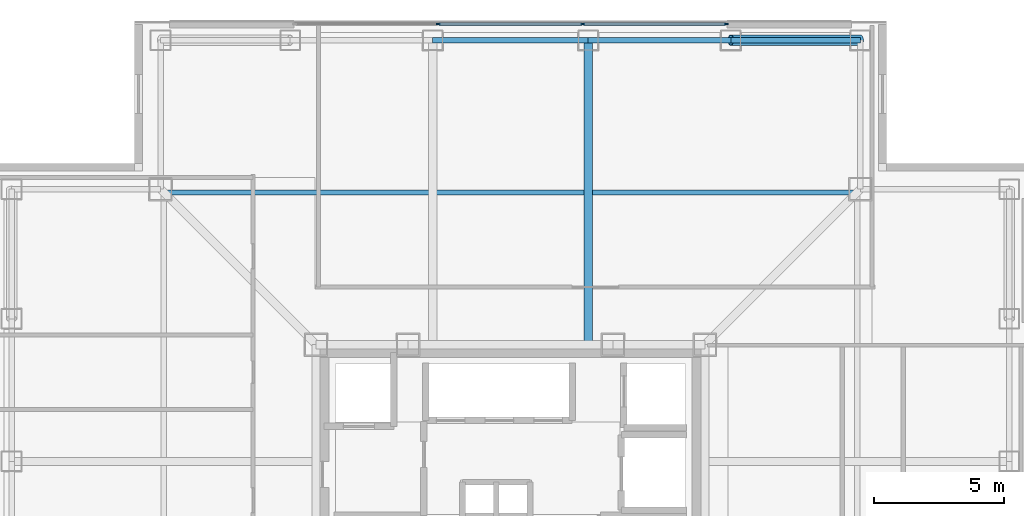
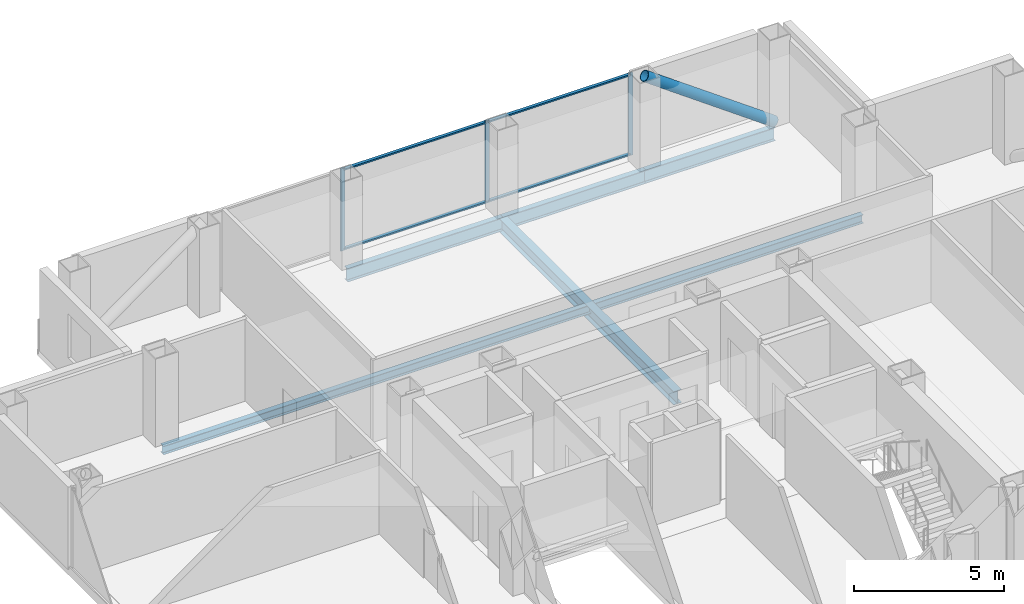
# One storey, part 8 of 17: 8 members, 5 beams, 1 element without a shape of its own.
"""IFC4 building model written with IfcOpenShell, lengths in metres."""

from ifc_helpers import new_model, si_unit, direction, frame, origin, origin_2d, place, context, subcontext, project, spatial, rectangle, hollow_circle, i_section, extrude, material, layer, layer_set, material_profile, profile_set, type_object, element, aggregate, save


model = new_model("IFC4")

# Units and contexts
model_context = context("Model", 3, precision=1e-05, world=origin(), true_north=direction((0.0, 1.0)))
body_context = subcontext(model_context, "Body", "Model", "MODEL_VIEW")
ifc_project = project(units=[si_unit("LENGTHUNIT", "METRE"), si_unit("AREAUNIT", "SQUARE_METRE"), si_unit("VOLUMEUNIT", "CUBIC_METRE"), si_unit("PLANEANGLEUNIT", "RADIAN"), si_unit("MASSUNIT", "GRAM", prefix="KILO")], contexts=[model_context])

# Site, building, storey
site_placement = place(None, origin())
site = spatial("IfcSite", under=ifc_project, at=site_placement, CompositionType="ELEMENT")
building_placement = place(site_placement, origin())
building = spatial("IfcBuilding", under=site, at=building_placement, Name="Trevonay Congress Spire", CompositionType="ELEMENT")
storey_placement = place(building_placement, frame((0.0, 0.0, 213.0)))
storey = spatial("IfcBuildingStorey", under=building, at=storey_placement, Name="L55", CompositionType="ELEMENT", Elevation=213.0)

# Beams
ifc_material_1 = material(Name="Steel ASTM A572 Grade 50", Category="steel")
ifc_material_profile_1 = material_profile(ifc_material_1, i_section(OverallWidth=0.31201171875, OverallDepth=0.54296875, WebThickness=0.0126953125, FlangeThickness=0.020263671875, FilletRadius=0.014892578125, at=origin_2d()), Name="W530x150")
ifc_profile_set_1 = profile_set([ifc_material_profile_1], Name="Steel ASTM A572 Grade 50")
beam_type_1 = type_object("IfcBeamType", Name="BM-GIRD-W530X150", PredefinedType="BEAM", material=ifc_profile_set_1)
beam_1_placement = place(storey_placement, frame((3.0, 7.5, -0.511474609375), z_axis=(0.0, 1.0, 0.0), x_axis=(-1.0, 0.0, 0.0)))
element("IfcBeam", 1, at=beam_1_placement, inside=storey, type_object=beam_type_1, Name="L55 structural beam BM-L55-GN-P", PredefinedType="BEAM", context=body_context, shape_type="SweptSolid", body=[
    extrude(i_section(OverallWidth=0.31201171875, OverallDepth=0.54296875, WebThickness=0.0126953125, FlangeThickness=0.020263671875, FilletRadius=0.014892578125, at=origin_2d()), origin(), (0.0, 0.0, 1.0), 11.75),
])
ifc_material_profile_2 = material_profile(ifc_material_1, i_section(OverallWidth=0.2119140625, OverallDepth=0.5439453125, WebThickness=0.01318359375, FlangeThickness=0.021240234375, FilletRadius=0.014892578125, at=origin_2d()), Name="W530x123")
ifc_profile_set_2 = profile_set([ifc_material_profile_2], Name="Steel ASTM A572 Grade 50")
beam_type_2 = type_object("IfcBeamType", Name="BM-RING-W530X123", PredefinedType="BEAM", material=ifc_profile_set_2)
beam_2_placement = place(storey_placement, frame((-3.0, 19.25, -0.511962890625), z_axis=(1.0, 0.0, 0.0), x_axis=(0.0, 1.0, 0.0)))
element("IfcBeam", 2, at=beam_2_placement, inside=storey, type_object=beam_type_2, Name="L55 structural beam BM-L55-PN3", PredefinedType="BEAM", context=body_context, shape_type="SweptSolid", body=[
    extrude(i_section(OverallWidth=0.2119140625, OverallDepth=0.5439453125, WebThickness=0.01318359375, FlangeThickness=0.021240234375, FilletRadius=0.014892578125, at=origin_2d()), origin(), (0.0, 0.0, 1.0), 6.0),
])
beam_3_placement = place(storey_placement, frame((3.0, 19.25, -0.511962890625), z_axis=(1.0, 0.0, 0.0), x_axis=(0.0, 1.0, 0.0)))
element("IfcBeam", 3, at=beam_3_placement, inside=storey, type_object=beam_type_2, Name="L55 structural beam BM-L55-PN4", PredefinedType="BEAM", context=body_context, shape_type="SweptSolid", body=[
    extrude(i_section(OverallWidth=0.2119140625, OverallDepth=0.5439453125, WebThickness=0.01318359375, FlangeThickness=0.021240234375, FilletRadius=0.014892578125, at=origin_2d()), origin(), (0.0, 0.0, 1.0), 5.5),
])
beam_4_placement = place(storey_placement, frame((8.5, 19.25, -0.511962890625), z_axis=(1.0, 0.0, 0.0), x_axis=(0.0, 1.0, 0.0)))
element("IfcBeam", 4, at=beam_4_placement, inside=storey, type_object=beam_type_2, Name="L55 structural beam BM-L55-PN5", PredefinedType="BEAM", context=body_context, shape_type="SweptSolid", body=[
    extrude(i_section(OverallWidth=0.2119140625, OverallDepth=0.5439453125, WebThickness=0.01318359375, FlangeThickness=0.021240234375, FilletRadius=0.014892578125, at=origin_2d()), origin(), (0.0, 0.0, 1.0), 5.0),
])

# Curtain wall, members
ifc_material_2 = material(Name="Pale Anodised Aluminium EN AW-6063-T6", Category="aluminium")
ifc_layer = layer(ifc_material_2, 0.169921875, Name="Pale Anodised Aluminium EN AW-6063-T6")
ifc_layer_set = layer_set([ifc_layer], Name="Pale Anodised Aluminium EN AW-6063-T6")
curtain_wall_type = type_object("IfcCurtainWallType", Name="CW-SYS04-CORP-PALE-METAL", PredefinedType="NOTDEFINED", material=ifc_layer_set)
curtain_wall_placement = place(storey_placement, origin())
curtain_wall = element("IfcCurtainWall", 5, at=curtain_wall_placement, inside=storey, type_object=curtain_wall_type, Name="L55 N unitised curtain wall", PredefinedType="NOTDEFINED")
ifc_material_profile_3 = material_profile(ifc_material_2, rectangle(XDim=0.06005859375, YDim=0.159912109375, at=origin_2d()), Name="CW-MULLION-160-ALUMINIUM")
ifc_profile_set_3 = profile_set([ifc_material_profile_3], Name="Pale Anodised Aluminium EN AW-6063-T6")
member_type_1 = type_object("IfcMemberType", Name="CW-MULLION-160-ALUMINIUM", PredefinedType="MULLION", material=ifc_profile_set_3)
member_1_placement = place(storey_placement, frame((-2.783447265625, 19.8798828125, 0.0), z_axis=(0.0, 0.0, 1.0), x_axis=(0.0, 1.0, 0.0)))
member_1 = element("IfcMember", 6, at=member_1_placement, type_object=member_type_1, Name="CW04 mullion 2", PredefinedType="MULLION", context=body_context, shape_type="SweptSolid", body=[
    extrude(rectangle(XDim=0.06005859375, YDim=0.159912109375, at=origin_2d()), origin(), (0.0, 0.0, 1.0), 3.360107421875),
])
member_2_placement = place(storey_placement, frame((2.783447265625, 19.8798828125, 0.0), z_axis=(0.0, 0.0, 1.0), x_axis=(0.0, 1.0, 0.0)))
member_2 = element("IfcMember", 7, at=member_2_placement, type_object=member_type_1, Name="CW04 mullion 3", PredefinedType="MULLION", context=body_context, shape_type="SweptSolid", body=[
    extrude(rectangle(XDim=0.06005859375, YDim=0.159912109375, at=origin_2d()), origin(), (0.0, 0.0, 1.0), 3.360107421875),
])
member_3_placement = place(storey_placement, frame((8.320068359375, 19.8798828125, 0.0), z_axis=(0.0, 0.0, 1.0), x_axis=(0.0, 1.0, 0.0)))
member_3 = element("IfcMember", 8, at=member_3_placement, type_object=member_type_1, Name="CW04 mullion 4", PredefinedType="MULLION", context=body_context, shape_type="SweptSolid", body=[
    extrude(rectangle(XDim=0.06005859375, YDim=0.159912109375, at=origin_2d()), origin(), (0.0, 0.0, 1.0), 3.360107421875),
])
ifc_material_profile_4 = material_profile(ifc_material_2, rectangle(XDim=0.1201171875, YDim=0.06005859375, at=origin_2d()), Name="CW-TRANSOM-120-ALUMINIUM")
ifc_profile_set_4 = profile_set([ifc_material_profile_4], Name="Pale Anodised Aluminium EN AW-6063-T6")
member_type_2 = type_object("IfcMemberType", Name="CW-TRANSOM-120-ALUMINIUM", PredefinedType="USERDEFINED", material=ifc_profile_set_4)
member_4_placement = place(storey_placement, frame((-2.75341796875, 19.8798828125, 0.06005859375), z_axis=(1.0, 0.0, 0.0), x_axis=(0.0, 1.0, 0.0)))
member_4 = element("IfcMember", 9, at=member_4_placement, type_object=member_type_2, Name="CW04 transom 2.1", ObjectType="TRANSOM", PredefinedType="USERDEFINED", context=body_context, shape_type="SweptSolid", body=[
    extrude(rectangle(XDim=0.1201171875, YDim=0.06005859375, at=origin_2d()), origin(), (0.0, 0.0, 1.0), 5.5068359375),
])
member_5_placement = place(storey_placement, frame((-2.75341796875, 19.8798828125, 3.300048828125), z_axis=(1.0, 0.0, 0.0), x_axis=(0.0, 1.0, 0.0)))
member_5 = element("IfcMember", 10, at=member_5_placement, type_object=member_type_2, Name="CW04 transom 2.2", ObjectType="TRANSOM", PredefinedType="USERDEFINED", context=body_context, shape_type="SweptSolid", body=[
    extrude(rectangle(XDim=0.1201171875, YDim=0.06005859375, at=origin_2d()), origin(), (0.0, 0.0, 1.0), 5.5068359375),
])
member_6_placement = place(storey_placement, frame((2.813232421875, 19.8798828125, 0.06005859375), z_axis=(1.0, 0.0, 0.0), x_axis=(0.0, 1.0, 0.0)))
member_6 = element("IfcMember", 11, at=member_6_placement, type_object=member_type_2, Name="CW04 transom 3.1", ObjectType="TRANSOM", PredefinedType="USERDEFINED", context=body_context, shape_type="SweptSolid", body=[
    extrude(rectangle(XDim=0.1201171875, YDim=0.06005859375, at=origin_2d()), origin(), (0.0, 0.0, 1.0), 5.476806640625),
])
member_7_placement = place(storey_placement, frame((2.813232421875, 19.8798828125, 3.300048828125), z_axis=(1.0, 0.0, 0.0), x_axis=(0.0, 1.0, 0.0)))
member_7 = element("IfcMember", 12, at=member_7_placement, type_object=member_type_2, Name="CW04 transom 3.2", ObjectType="TRANSOM", PredefinedType="USERDEFINED", context=body_context, shape_type="SweptSolid", body=[
    extrude(rectangle(XDim=0.1201171875, YDim=0.06005859375, at=origin_2d()), origin(), (0.0, 0.0, 1.0), 5.476806640625),
])
aggregate(curtain_wall, [member_1, member_2, member_3, member_4, member_5, member_6, member_7])

# Beam
ifc_material_profile_5 = material_profile(ifc_material_1, i_section(OverallWidth=0.205078125, OverallDepth=0.35400390625, WebThickness=0.009521484375, FlangeThickness=0.016845703125, FilletRadius=0.011962890625, at=origin_2d()), Name="W360x79")
ifc_profile_set_5 = profile_set([ifc_material_profile_5], Name="Steel ASTM A572 Grade 50")
beam_type_3 = type_object("IfcBeamType", Name="JS-COMP-W360X79", PredefinedType="JOIST", material=ifc_profile_set_5)
beam_5_placement = place(storey_placement, frame((-13.5, 13.375, -0.4169921875), z_axis=(1.0, 0.0, 0.0), x_axis=(0.0, 1.0, 0.0)))
element("IfcBeam", 13, at=beam_5_placement, inside=storey, type_object=beam_type_3, Name="L55 structural beam JS-L55-RING-N", PredefinedType="JOIST", context=body_context, shape_type="SweptSolid", body=[
    extrude(i_section(OverallWidth=0.205078125, OverallDepth=0.35400390625, WebThickness=0.009521484375, FlangeThickness=0.016845703125, FilletRadius=0.011962890625, at=origin_2d()), origin(), (0.0, 0.0, 1.0), 27.0),
])

# Member
ifc_material_3 = material(Name="Steel ASTM A500 Grade C", Category="steel")
ifc_material_profile_6 = material_profile(ifc_material_3, hollow_circle(Radius=0.203125, WallThickness=0.02001953125, at=origin_2d()), Name="CHS 406.4x20")
ifc_profile_set_6 = profile_set([ifc_material_profile_6], Name="Steel ASTM A500 Grade C")
member_type_3 = type_object("IfcMemberType", Name="MBR-TUBE-CHS406", PredefinedType="BRACE", material=ifc_profile_set_6)
member_8_placement = place(storey_placement, frame((13.5, 19.25, -0.050048828125), z_axis=(-0.811526825515, 0.0, 0.584315164504), x_axis=(0.0, -1.0, 0.0)))
element("IfcMember", 14, at=member_8_placement, inside=storey, type_object=member_type_3, Name="L55 perimeter braced-tube diagonal N4", PredefinedType="BRACE", context=body_context, shape_type="SweptSolid", body=[
    extrude(hollow_circle(Radius=0.203125, WallThickness=0.02001953125, at=origin_2d()), origin(), (0.0, 0.0, 1.0), 6.1611328125),
])

save(model, "model.ifc")
